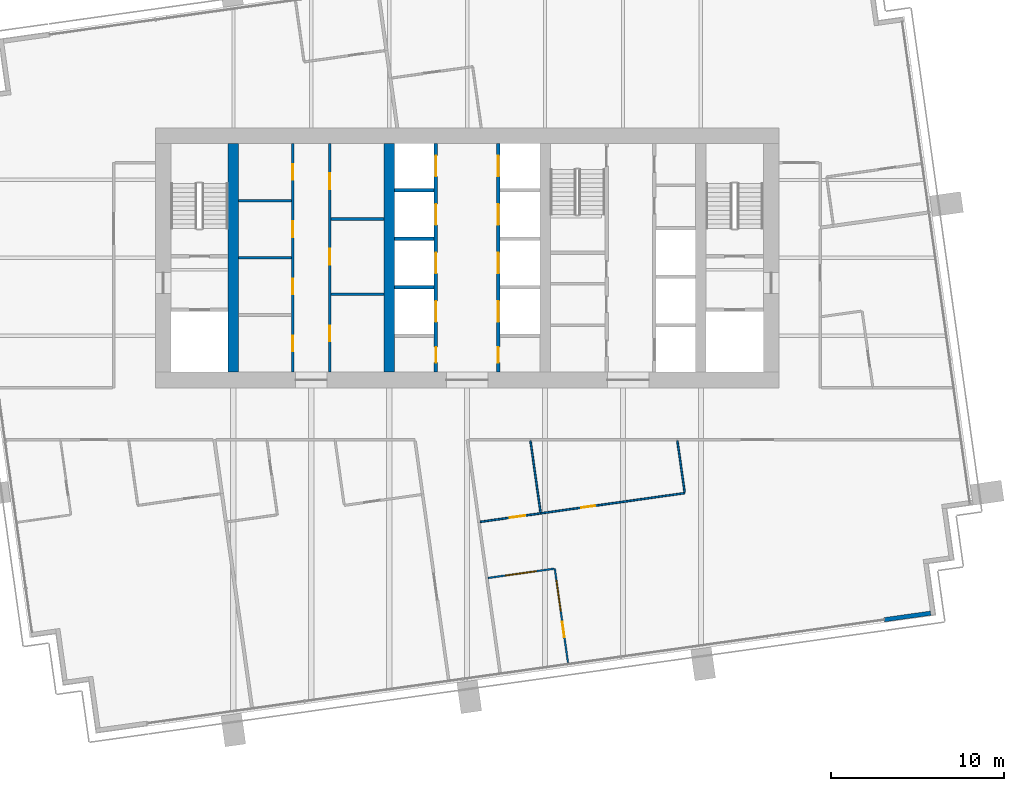
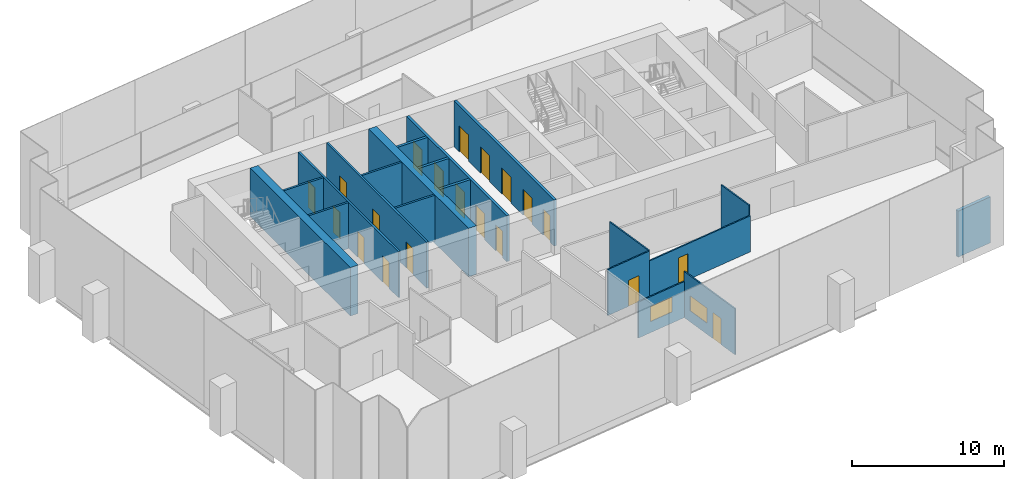
# One storey, part 10 of 17: 20 doors, 20 walls, 2 windows, 22 openings.
"""IFC4 building model written with IfcOpenShell, lengths in metres."""

from ifc_helpers import new_model, si_unit, direction, frame, frame_2d, origin, place, context, subcontext, project, spatial, rectangle, extrude, material, layer, layer_set, type_object, element, fill, save


model = new_model("IFC4")

# Units and contexts
model_context = context("Model", 3, precision=1e-05, world=origin(), true_north=direction((0.0, 1.0)))
body_context = subcontext(model_context, "Body", "Model", "MODEL_VIEW")
ifc_project = project(units=[si_unit("LENGTHUNIT", "METRE"), si_unit("AREAUNIT", "SQUARE_METRE"), si_unit("VOLUMEUNIT", "CUBIC_METRE"), si_unit("PLANEANGLEUNIT", "RADIAN"), si_unit("MASSUNIT", "GRAM", prefix="KILO")], contexts=[model_context])

# Site, building, storey
site_placement = place(None, origin())
site = spatial("IfcSite", under=ifc_project, at=site_placement, CompositionType="ELEMENT")
building_placement = place(site_placement, origin())
building = spatial("IfcBuilding", under=site, at=building_placement, Name="Rattan Terrace Tower", CompositionType="ELEMENT")
storey_placement = place(building_placement, frame((0.0, 0.0, 168.5)))
storey = spatial("IfcBuildingStorey", under=building, at=storey_placement, Name="L38", CompositionType="ELEMENT", Elevation=168.5)

# Wall, openings, doors
ifc_material_1 = material(Name="Gypsum board partition")
ifc_layer_1 = layer(ifc_material_1, 0.14990234375)
ifc_layer_set_1 = layer_set([ifc_layer_1], Name="Core partition 150")
wall_type_1 = type_object("IfcWallType", Name="Core partition 150", PredefinedType="PARTITIONING", material=ifc_layer_set_1)
wall_1_placement = place(storey_placement, frame((-10.074951171875, -6.60009765625, 0.0), z_axis=(0.0, 0.0, 1.0), x_axis=(0.0, 1.0, 0.0)))
wall_1 = element("IfcWall", 1, at=wall_1_placement, inside=storey, type_object=wall_type_1, Name="Core room wall", PredefinedType="PARTITIONING", context=body_context, shape_type="SweptSolid", body=[
    extrude(rectangle(XDim=13.2001953125, YDim=0.14990234375, at=frame_2d((6.60009765625, 0.0))), origin(), (0.0, 0.0, 1.0), 3.699951171875),
])
opening_1_placement = place(wall_1_placement, frame((1.199951171875, 0.0, 0.0)))
opening_1 = element("IfcOpeningElement", 2, at=opening_1_placement, cuts=wall_1, Name="Opening L38-D005", PredefinedType="OPENING", context=body_context, shape_type="SweptSolid", body=[
    extrude(rectangle(XDim=0.89990234375, YDim=2.10009765625, at=frame_2d((0.449951171875, 1.050048828125))), frame((0.0, 0.08544921875, 0.0), z_axis=(0.0, -1.0, 0.0), x_axis=(1.0, 0.0, 0.0)), (0.0, 0.0, 1.0), 0.1708984375),
])
opening_2_placement = place(wall_1_placement, frame((4.5, 0.0, 0.0)))
opening_2 = element("IfcOpeningElement", 3, at=opening_2_placement, cuts=wall_1, Name="Opening L38-D006", PredefinedType="OPENING", context=body_context, shape_type="SweptSolid", body=[
    extrude(rectangle(XDim=0.89990234375, YDim=2.10009765625, at=frame_2d((0.449951171875, 1.050048828125))), frame((0.0, 0.08544921875, 0.0), z_axis=(0.0, -1.0, 0.0), x_axis=(1.0, 0.0, 0.0)), (0.0, 0.0, 1.0), 0.1708984375),
])
opening_3_placement = place(wall_1_placement, frame((7.800048828125, 0.0, 0.0)))
opening_3 = element("IfcOpeningElement", 4, at=opening_3_placement, cuts=wall_1, Name="Opening L38-D007", PredefinedType="OPENING", context=body_context, shape_type="SweptSolid", body=[
    extrude(rectangle(XDim=0.89990234375, YDim=2.10009765625, at=frame_2d((0.449951171875, 1.050048828125))), frame((0.0, 0.08544921875, 0.0), z_axis=(0.0, -1.0, 0.0), x_axis=(1.0, 0.0, 0.0)), (0.0, 0.0, 1.0), 0.1708984375),
])
opening_4_placement = place(wall_1_placement, frame((11.10009765625, 0.0, 0.0)))
opening_4 = element("IfcOpeningElement", 5, at=opening_4_placement, cuts=wall_1, Name="Opening L38-D008", PredefinedType="OPENING", context=body_context, shape_type="SweptSolid", body=[
    extrude(rectangle(XDim=0.89990234375, YDim=2.10009765625, at=frame_2d((0.449951171875, 1.050048828125))), frame((0.0, 0.08544921875, 0.0), z_axis=(0.0, -1.0, 0.0), x_axis=(1.0, 0.0, 0.0)), (0.0, 0.0, 1.0), 0.1708984375),
])
ifc_material_2 = material(Name="Hollow-metal fire door leaf")
door_type_1 = type_object("IfcDoorType", Name="Core service room door 900", OperationType="NOTDEFINED", PredefinedType="DOOR", material=ifc_material_2)
door_1_placement = place(opening_1_placement, origin())
door_1 = element("IfcDoor", 6, at=door_1_placement, inside=storey, type_object=door_type_1, Name="Door L38-D005", OperationType="SINGLE_SWING_LEFT", OverallHeight=2.10009765625, OverallWidth=0.89990234375, PredefinedType="DOOR", context=body_context, shape_type="SweptSolid", body=[
    extrude(rectangle(XDim=0.89990234375, YDim=2.10009765625, at=frame_2d((0.449951171875, 1.050048828125))), frame((0.0, 0.02490234375, 0.0), z_axis=(0.0, -1.0, 0.0), x_axis=(1.0, 0.0, 0.0)), (0.0, 0.0, 1.0), 0.050048828125),
])
fill(opening_1, door_1)
door_2_placement = place(opening_2_placement, origin())
door_2 = element("IfcDoor", 7, at=door_2_placement, inside=storey, type_object=door_type_1, Name="Door L38-D006", OperationType="SINGLE_SWING_RIGHT", OverallHeight=2.10009765625, OverallWidth=0.89990234375, PredefinedType="DOOR", context=body_context, shape_type="SweptSolid", body=[
    extrude(rectangle(XDim=0.89990234375, YDim=2.10009765625, at=frame_2d((0.449951171875, 1.050048828125))), frame((0.0, 0.02490234375, 0.0), z_axis=(0.0, -1.0, 0.0), x_axis=(1.0, 0.0, 0.0)), (0.0, 0.0, 1.0), 0.050048828125),
])
fill(opening_2, door_2)
door_3_placement = place(opening_3_placement, origin())
door_3 = element("IfcDoor", 8, at=door_3_placement, inside=storey, type_object=door_type_1, Name="Door L38-D007", OperationType="SINGLE_SWING_LEFT", OverallHeight=2.10009765625, OverallWidth=0.89990234375, PredefinedType="DOOR", context=body_context, shape_type="SweptSolid", body=[
    extrude(rectangle(XDim=0.89990234375, YDim=2.10009765625, at=frame_2d((0.449951171875, 1.050048828125))), frame((0.0, 0.02490234375, 0.0), z_axis=(0.0, -1.0, 0.0), x_axis=(1.0, 0.0, 0.0)), (0.0, 0.0, 1.0), 0.050048828125),
])
fill(opening_3, door_3)
door_4_placement = place(opening_4_placement, origin())
door_4 = element("IfcDoor", 9, at=door_4_placement, inside=storey, type_object=door_type_1, Name="Door L38-D008", OperationType="SINGLE_SWING_RIGHT", OverallHeight=2.10009765625, OverallWidth=0.89990234375, PredefinedType="DOOR", context=body_context, shape_type="SweptSolid", body=[
    extrude(rectangle(XDim=0.89990234375, YDim=2.10009765625, at=frame_2d((0.449951171875, 1.050048828125))), frame((0.0, 0.02490234375, 0.0), z_axis=(0.0, -1.0, 0.0), x_axis=(1.0, 0.0, 0.0)), (0.0, 0.0, 1.0), 0.050048828125),
])
fill(opening_4, door_4)

# Walls
for number, where, z_axis, x_axis, name in (
    (10, (-13.199951171875, 0.0, 0.0), (0.0, 0.0, 1.0), (1.0, 0.0, 0.0), "Core room wall"),
    (11, (-13.199951171875, 3.300048828125, 0.0), (0.0, 0.0, 1.0), (1.0, 0.0, 0.0), "Core room wall"),
):
    element("IfcWall", number, at=place(storey_placement, frame(where, z_axis=z_axis, x_axis=x_axis)), inside=storey, type_object=wall_type_1, Name=name, PredefinedType="PARTITIONING", context=body_context, shape_type="SweptSolid", body=[
        extrude(rectangle(XDim=3.050048828125, YDim=0.14990234375, at=frame_2d((1.52490234375, 0.0))), origin(), (0.0, 0.0, 1.0), 3.699951171875),
    ])

# Wall, openings, doors
wall_2_placement = place(storey_placement, frame((-7.925048828125, -6.60009765625, 0.0), z_axis=(0.0, 0.0, 1.0), x_axis=(0.0, 1.0, 0.0)))
wall_2 = element("IfcWall", 12, at=wall_2_placement, inside=storey, type_object=wall_type_1, Name="Core room wall", PredefinedType="PARTITIONING", context=body_context, shape_type="SweptSolid", body=[
    extrude(rectangle(XDim=13.2001953125, YDim=0.14990234375, at=frame_2d((6.60009765625, 0.0))), origin(), (0.0, 0.0, 1.0), 3.699951171875),
])
opening_5_placement = place(wall_2_placement, frame((1.7939453125, 0.0, 0.0)))
opening_5 = element("IfcOpeningElement", 13, at=opening_5_placement, cuts=wall_2, Name="Opening L38-D009", PredefinedType="OPENING", context=body_context, shape_type="SweptSolid", body=[
    extrude(rectangle(XDim=0.89990234375, YDim=2.10009765625, at=frame_2d((0.449951171875, 1.050048828125))), frame((0.0, 0.08544921875, 0.0), z_axis=(0.0, -1.0, 0.0), x_axis=(1.0, 0.0, 0.0)), (0.0, 0.0, 1.0), 0.1708984375),
])
opening_6_placement = place(wall_2_placement, frame((6.216064453125, 0.0, 0.0)))
opening_6 = element("IfcOpeningElement", 14, at=opening_6_placement, cuts=wall_2, Name="Opening L38-D010", PredefinedType="OPENING", context=body_context, shape_type="SweptSolid", body=[
    extrude(rectangle(XDim=0.89990234375, YDim=2.10009765625, at=frame_2d((0.449951171875, 1.050048828125))), frame((0.0, 0.08544921875, 0.0), z_axis=(0.0, -1.0, 0.0), x_axis=(1.0, 0.0, 0.0)), (0.0, 0.0, 1.0), 0.1708984375),
])
opening_7_placement = place(wall_2_placement, frame((10.572021484375, 0.0, 0.0)))
opening_7 = element("IfcOpeningElement", 15, at=opening_7_placement, cuts=wall_2, Name="Opening L38-D011", PredefinedType="OPENING", context=body_context, shape_type="SweptSolid", body=[
    extrude(rectangle(XDim=0.89990234375, YDim=2.10009765625, at=frame_2d((0.449951171875, 1.050048828125))), frame((0.0, 0.08544921875, 0.0), z_axis=(0.0, -1.0, 0.0), x_axis=(1.0, 0.0, 0.0)), (0.0, 0.0, 1.0), 0.1708984375),
])
door_5_placement = place(opening_5_placement, origin())
door_5 = element("IfcDoor", 16, at=door_5_placement, inside=storey, type_object=door_type_1, Name="Door L38-D009", OperationType="SINGLE_SWING_LEFT", OverallHeight=2.10009765625, OverallWidth=0.89990234375, PredefinedType="DOOR", context=body_context, shape_type="SweptSolid", body=[
    extrude(rectangle(XDim=0.89990234375, YDim=2.10009765625, at=frame_2d((0.449951171875, 1.050048828125))), frame((0.0, 0.02490234375, 0.0), z_axis=(0.0, -1.0, 0.0), x_axis=(1.0, 0.0, 0.0)), (0.0, 0.0, 1.0), 0.050048828125),
])
fill(opening_5, door_5)
door_6_placement = place(opening_6_placement, origin())
door_6 = element("IfcDoor", 17, at=door_6_placement, inside=storey, type_object=door_type_1, Name="Door L38-D010", OperationType="SINGLE_SWING_RIGHT", OverallHeight=2.10009765625, OverallWidth=0.89990234375, PredefinedType="DOOR", context=body_context, shape_type="SweptSolid", body=[
    extrude(rectangle(XDim=0.89990234375, YDim=2.10009765625, at=frame_2d((0.449951171875, 1.050048828125))), frame((0.0, 0.02490234375, 0.0), z_axis=(0.0, -1.0, 0.0), x_axis=(1.0, 0.0, 0.0)), (0.0, 0.0, 1.0), 0.050048828125),
])
fill(opening_6, door_6)
door_7_placement = place(opening_7_placement, origin())
door_7 = element("IfcDoor", 18, at=door_7_placement, inside=storey, type_object=door_type_1, Name="Door L38-D011", OperationType="SINGLE_SWING_LEFT", OverallHeight=2.10009765625, OverallWidth=0.89990234375, PredefinedType="DOOR", context=body_context, shape_type="SweptSolid", body=[
    extrude(rectangle(XDim=0.89990234375, YDim=2.10009765625, at=frame_2d((0.449951171875, 1.050048828125))), frame((0.0, 0.02490234375, 0.0), z_axis=(0.0, -1.0, 0.0), x_axis=(1.0, 0.0, 0.0)), (0.0, 0.0, 1.0), 0.050048828125),
])
fill(opening_7, door_7)

# Walls
for number, where, z_axis, x_axis, name in (
    (19, (-7.85009765625, -2.112060546875, 0.0), (0.0, 0.0, 1.0), (1.0, 0.0, 0.0), "Core room wall"),
    (20, (-7.85009765625, 2.243896484375, 0.0), (0.0, 0.0, 1.0), (1.0, 0.0, 0.0), "Core room wall"),
):
    element("IfcWall", number, at=place(storey_placement, frame(where, z_axis=z_axis, x_axis=x_axis)), inside=storey, type_object=wall_type_1, Name=name, PredefinedType="PARTITIONING", context=body_context, shape_type="SweptSolid", body=[
        extrude(rectangle(XDim=3.050048828125, YDim=0.14990234375, at=frame_2d((1.52490234375, 0.0))), origin(), (0.0, 0.0, 1.0), 3.699951171875),
    ])
ifc_material_3 = material(Name="Concrete C60/75", Category="concrete")
ifc_layer_2 = layer(ifc_material_3, 0.60009765625)
ifc_layer_set_2 = layer_set([ifc_layer_2], Name="Core spine wall 600 C60/75")
wall_type_2 = type_object("IfcWallType", Name="Core spine wall 600 C60/75", PredefinedType="SHEAR", material=ifc_layer_set_2)
for number, where, z_axis, x_axis, name in (
    (21, (-13.5, -6.60009765625, -0.199951171875), (0.0, 0.0, 1.0), (0.0, 1.0, 0.0), "Core spine wall 1"),
    (22, (-4.5, -6.60009765625, -0.199951171875), (0.0, 0.0, 1.0), (0.0, 1.0, 0.0), "Core spine wall 2"),
):
    element("IfcWall", number, at=place(storey_placement, frame(where, z_axis=z_axis, x_axis=x_axis)), inside=storey, type_object=wall_type_2, Name=name, PredefinedType="SHEAR", context=body_context, shape_type="SweptSolid", body=[
        extrude(rectangle(XDim=13.2001953125, YDim=0.60009765625, at=frame_2d((6.60009765625, 0.0))), origin(), (0.0, 0.0, 1.0), 3.89990234375),
    ])
ifc_material_4 = material(Name="Insulated aluminium-clad stud wall", Category="aluminium")
ifc_layer_3 = layer(ifc_material_4, 0.25)
ifc_layer_set_3 = layer_set([ifc_layer_3], Name="Facade Riser Wall 250")
wall_type_3 = type_object("IfcWallType", Name="Facade Riser Wall 250", PredefinedType="SOLIDWALL", material=ifc_layer_set_3)
wall_3_placement = place(storey_placement, frame((24.08544921875, -20.892578125, 0.0), z_axis=(0.0, 0.0, 1.0), x_axis=(0.990255800966, 0.139260362823, 0.0)))
element("IfcWall", 23, at=wall_3_placement, inside=storey, type_object=wall_type_3, Name="Riser wall L38-1", PredefinedType="SOLIDWALL", context=body_context, shape_type="SweptSolid", body=[
    extrude(rectangle(XDim=2.705078125, YDim=0.25, at=frame_2d((1.3525390625, 0.0))), origin(), (0.0, 0.0, 1.0), 3.699951171875),
])

# Wall, opening, window
ifc_material_5 = material(Name="Gypsum board partition on steel studs", Category="steel")
ifc_layer_4 = layer(ifc_material_5, 0.10009765625)
ifc_layer_set_4 = layer_set([ifc_layer_4], Name="Floors Partition 100")
wall_type_4 = type_object("IfcWallType", Name="Floors Partition 100", PredefinedType="PARTITIONING", material=ifc_layer_set_4)
wall_4_placement = place(storey_placement, frame((5.010986328125, -17.948974609375, 0.0), z_axis=(0.0, 0.0, 1.0), x_axis=(-0.99029781958, -0.138961248322, 0.0)))
wall_4 = element("IfcWall", 24, at=wall_4_placement, inside=storey, type_object=wall_type_4, Name="pt-L38-035", PredefinedType="PARTITIONING", context=body_context, shape_type="SweptSolid", body=[
    extrude(rectangle(XDim=3.835205078125, YDim=0.10009765625, at=frame_2d((1.91748046875, 0.0))), origin(), (0.0, 0.0, 1.0), 2.89990234375),
])
opening_8_placement = place(wall_4_placement, frame((1.01806640625, 0.0, 0.89990234375)))
opening_8 = element("IfcOpeningElement", 25, at=opening_8_placement, cuts=wall_4, Name="Opening L38-W102", PredefinedType="OPENING", context=body_context, shape_type="SweptSolid", body=[
    extrude(rectangle(XDim=1.800048828125, YDim=1.199951171875, at=frame_2d((0.89990234375, 0.60009765625))), frame((0.0, 0.060546875, 0.0), z_axis=(0.0, -1.0, 0.0), x_axis=(1.0, 0.0, 0.0)), (0.0, 0.0, 1.0), 0.12109375),
])
ifc_material_6 = material(Name="Glass, clear, fixed in aluminium frame", Category="aluminium")
window_type = type_object("IfcWindowType", Name="Interior Vision Window 1800x1200", PartitioningType="SINGLE_PANEL", PredefinedType="WINDOW", material=ifc_material_6)
window_1_placement = place(opening_8_placement, origin())
window_1 = element("IfcWindow", 26, at=window_1_placement, inside=storey, type_object=window_type, Name="w-L38-102", OverallHeight=1.199951171875, OverallWidth=1.800048828125, PartitioningType="SINGLE_PANEL", PredefinedType="WINDOW", context=body_context, shape_type="SweptSolid", body=[
    extrude(rectangle(XDim=1.800048828125, YDim=1.199951171875, at=frame_2d((0.89990234375, 0.60009765625))), frame((0.0, 0.030029296875, 0.0), z_axis=(0.0, -1.0, 0.0), x_axis=(1.0, 0.0, 0.0)), (0.0, 0.0, 1.0), 0.06005859375),
])
fill(opening_8, window_1)

# Wall, openings, door, window
wall_5_placement = place(storey_placement, frame((5.822998046875, -23.367919921875, 0.0), z_axis=(0.0, 0.0, 1.0), x_axis=(-0.13906298859, 0.990283537783, 0.0)))
wall_5 = element("IfcWall", 27, at=wall_5_placement, inside=storey, type_object=wall_type_4, Name="pt-L38-036", PredefinedType="PARTITIONING", context=body_context, shape_type="SweptSolid", body=[
    extrude(rectangle(XDim=5.479248046875, YDim=0.10009765625, at=frame_2d((2.73974609375, 0.0))), origin(), (0.0, 0.0, 1.0), 3.699951171875),
])
opening_9_placement = place(wall_5_placement, frame((1.47412109375, 0.0, 0.0)))
opening_9 = element("IfcOpeningElement", 28, at=opening_9_placement, cuts=wall_5, Name="Opening L38-D107", PredefinedType="OPENING", context=body_context, shape_type="SweptSolid", body=[
    extrude(rectangle(XDim=0.89990234375, YDim=2.10009765625, at=frame_2d((0.449951171875, 1.050048828125))), frame((0.0, 0.060546875, 0.0), z_axis=(0.0, -1.0, 0.0), x_axis=(1.0, 0.0, 0.0)), (0.0, 0.0, 1.0), 0.12109375),
])
opening_10_placement = place(wall_5_placement, frame((3.001953125, 0.0, 0.89990234375)))
opening_10 = element("IfcOpeningElement", 29, at=opening_10_placement, cuts=wall_5, Name="Opening L38-W103", PredefinedType="OPENING", context=body_context, shape_type="SweptSolid", body=[
    extrude(rectangle(XDim=1.800048828125, YDim=1.199951171875, at=frame_2d((0.89990234375, 0.60009765625))), frame((0.0, 0.060546875, 0.0), z_axis=(0.0, -1.0, 0.0), x_axis=(1.0, 0.0, 0.0)), (0.0, 0.0, 1.0), 0.12109375),
])
ifc_material_7 = material(Name="Solid core timber door, painted", Category="wood")
door_type_2 = type_object("IfcDoorType", Name="Floors Door 900x2100", OperationType="NOTDEFINED", PredefinedType="DOOR", material=ifc_material_7)
door_8_placement = place(opening_9_placement, origin())
door_8 = element("IfcDoor", 30, at=door_8_placement, inside=storey, type_object=door_type_2, Name="d-L38-107", OperationType="SINGLE_SWING_LEFT", OverallHeight=2.10009765625, OverallWidth=0.89990234375, PredefinedType="DOOR", context=body_context, shape_type="SweptSolid", body=[
    extrude(rectangle(XDim=0.89990234375, YDim=2.10009765625, at=frame_2d((0.449951171875, 1.050048828125))), frame((0.0, 0.02490234375, 0.0), z_axis=(0.0, -1.0, 0.0), x_axis=(1.0, 0.0, 0.0)), (0.0, 0.0, 1.0), 0.050048828125),
])
fill(opening_9, door_8)
window_2_placement = place(opening_10_placement, origin())
window_2 = element("IfcWindow", 31, at=window_2_placement, inside=storey, type_object=window_type, Name="w-L38-103", OverallHeight=1.199951171875, OverallWidth=1.800048828125, PartitioningType="SINGLE_PANEL", PredefinedType="WINDOW", context=body_context, shape_type="SweptSolid", body=[
    extrude(rectangle(XDim=1.800048828125, YDim=1.199951171875, at=frame_2d((0.89990234375, 0.60009765625))), frame((0.0, 0.030029296875, 0.0), z_axis=(0.0, -1.0, 0.0), x_axis=(1.0, 0.0, 0.0)), (0.0, 0.0, 1.0), 0.06005859375),
])
fill(opening_10, window_2)

# Wall, opening, door
wall_6_placement = place(storey_placement, frame((0.758056640625, -15.241943359375, 0.0), z_axis=(0.0, 0.0, 1.0), x_axis=(0.990292126352, 0.139001814682, 0.0)))
wall_6 = element("IfcWall", 32, at=wall_6_placement, inside=storey, type_object=wall_type_4, Name="pt-L38-037", PredefinedType="PARTITIONING", context=body_context, shape_type="SweptSolid", body=[
    extrude(rectangle(XDim=3.50390625, YDim=0.10009765625, at=frame_2d((1.751953125, 0.0))), origin(), (0.0, 0.0, 1.0), 3.699951171875),
])
opening_11_placement = place(wall_6_placement, frame((1.722900390625, 0.0, 0.0)))
opening_11 = element("IfcOpeningElement", 33, at=opening_11_placement, cuts=wall_6, Name="Opening L38-D108", PredefinedType="OPENING", context=body_context, shape_type="SweptSolid", body=[
    extrude(rectangle(XDim=0.89990234375, YDim=2.10009765625, at=frame_2d((0.449951171875, 1.050048828125))), frame((0.0, 0.060546875, 0.0), z_axis=(0.0, -1.0, 0.0), x_axis=(1.0, 0.0, 0.0)), (0.0, 0.0, 1.0), 0.12109375),
])
door_9_placement = place(opening_11_placement, origin())
door_9 = element("IfcDoor", 34, at=door_9_placement, inside=storey, type_object=door_type_2, Name="d-L38-108", OperationType="SINGLE_SWING_RIGHT", OverallHeight=2.10009765625, OverallWidth=0.89990234375, PredefinedType="DOOR", context=body_context, shape_type="SweptSolid", body=[
    extrude(rectangle(XDim=0.89990234375, YDim=2.10009765625, at=frame_2d((0.449951171875, 1.050048828125))), frame((0.0, 0.02490234375, 0.0), z_axis=(0.0, -1.0, 0.0), x_axis=(1.0, 0.0, 0.0)), (0.0, 0.0, 1.0), 0.050048828125),
])
fill(opening_11, door_9)

wall_7_placement = place(storey_placement, frame((4.22802734375, -14.7548828125, 0.0), z_axis=(0.0, 0.0, 1.0), x_axis=(0.990267072018, 0.139180192835, 0.0)))
wall_7 = element("IfcWall", 35, at=wall_7_placement, inside=storey, type_object=wall_type_4, Name="pt-L38-038", PredefinedType="PARTITIONING", context=body_context, shape_type="SweptSolid", body=[
    extrude(rectangle(XDim=8.419921875, YDim=0.10009765625, at=frame_2d((4.2099609375, 0.0))), origin(), (0.0, 0.0, 1.0), 2.89990234375),
])
opening_12_placement = place(wall_7_placement, frame((2.385986328125, 0.0, 0.0)))
opening_12 = element("IfcOpeningElement", 36, at=opening_12_placement, cuts=wall_7, Name="Opening L38-D109", PredefinedType="OPENING", context=body_context, shape_type="SweptSolid", body=[
    extrude(rectangle(XDim=0.800048828125, YDim=2.10009765625, at=frame_2d((0.39990234375, 1.050048828125))), frame((0.0, 0.060546875, 0.0), z_axis=(0.0, -1.0, 0.0), x_axis=(1.0, 0.0, 0.0)), (0.0, 0.0, 1.0), 0.12109375),
])
ifc_material_8 = material(Name="Solid core timber door, painted", Category="wood")
door_type_3 = type_object("IfcDoorType", Name="Floors Store Door 800x2100", OperationType="NOTDEFINED", PredefinedType="DOOR", material=ifc_material_8)
door_10_placement = place(opening_12_placement, origin())
door_10 = element("IfcDoor", 37, at=door_10_placement, inside=storey, type_object=door_type_3, Name="d-L38-109", OperationType="SINGLE_SWING_LEFT", OverallHeight=2.10009765625, OverallWidth=0.800048828125, PredefinedType="DOOR", context=body_context, shape_type="SweptSolid", body=[
    extrude(rectangle(XDim=0.800048828125, YDim=2.10009765625, at=frame_2d((0.39990234375, 1.050048828125))), frame((0.0, 0.02490234375, 0.0), z_axis=(0.0, -1.0, 0.0), x_axis=(1.0, 0.0, 0.0)), (0.0, 0.0, 1.0), 0.050048828125),
])
fill(opening_12, door_10)

# Walls
wall_8_placement = place(storey_placement, frame((12.55908203125, -13.532958984375, 0.0), z_axis=(0.0, 0.0, 1.0), x_axis=(-0.138954956276, 0.990298702476, 0.0)))
element("IfcWall", 38, at=wall_8_placement, inside=storey, type_object=wall_type_4, Name="pt-L38-039", PredefinedType="PARTITIONING", context=body_context, shape_type="SweptSolid", body=[
    extrude(rectangle(XDim=2.993896484375, YDim=0.10009765625, at=frame_2d((1.4970703125, 0.0))), origin(), (0.0, 0.0, 1.0), 3.699951171875),
])
wall_9_placement = place(storey_placement, frame((3.658935546875, -10.568115234375, 0.0), z_axis=(0.0, 0.0, 1.0), x_axis=(0.139423291569, -0.990232874514, 0.0)))
element("IfcWall", 39, at=wall_9_placement, inside=storey, type_object=wall_type_4, Name="pt-L38-040", PredefinedType="PARTITIONING", context=body_context, shape_type="SweptSolid", body=[
    extrude(rectangle(XDim=4.174560546875, YDim=0.10009765625, at=frame_2d((2.08740234375, 0.0))), origin(), (0.0, 0.0, 1.0), 3.699951171875),
])

# Wall, openings, doors
ifc_material_9 = material(Name="Gypsum shaft wall system")
ifc_layer_5 = layer(ifc_material_9, 0.199951171875)
ifc_layer_set_5 = layer_set([ifc_layer_5], Name="Lift shaft wall 200")
wall_type_5 = type_object("IfcWallType", Name="Lift shaft wall 200", PredefinedType="PARTITIONING", material=ifc_layer_set_5)
wall_10_placement = place(storey_placement, frame((-1.800048828125, -6.60009765625, 0.0), z_axis=(0.0, 0.0, 1.0), x_axis=(0.0, 1.0, 0.0)))
wall_10 = element("IfcWall", 40, at=wall_10_placement, inside=storey, type_object=wall_type_5, Name="Lift shaft front wall", PredefinedType="PARTITIONING", context=body_context, shape_type="SweptSolid", body=[
    extrude(rectangle(XDim=13.2001953125, YDim=0.199951171875, at=frame_2d((6.60009765625, 0.0))), origin(), (0.0, 0.0, 1.0), 3.699951171875),
])
opening_13_placement = place(wall_10_placement, frame((0.550048828125, 0.0, 0.0)))
opening_13 = element("IfcOpeningElement", 41, at=opening_13_placement, cuts=wall_10, Name="Opening L38-D013", PredefinedType="OPENING", context=body_context, shape_type="SweptSolid", body=[
    extrude(rectangle(XDim=0.89990234375, YDim=2.10009765625, at=frame_2d((0.449951171875, 1.050048828125))), frame((0.0, 0.110595703125, 0.0), z_axis=(0.0, -1.0, 0.0), x_axis=(1.0, 0.0, 0.0)), (0.0, 0.0, 1.0), 0.220947265625),
])
opening_14_placement = place(wall_10_placement, frame((2.89990234375, 0.0, 0.0)))
opening_14 = element("IfcOpeningElement", 42, at=opening_14_placement, cuts=wall_10, Name="Opening L38-LD-HR1", PredefinedType="OPENING", context=body_context, shape_type="SweptSolid", body=[
    extrude(rectangle(XDim=1.199951171875, YDim=2.10009765625, at=frame_2d((0.60009765625, 1.050048828125))), frame((0.0, 0.110595703125, 0.0), z_axis=(0.0, -1.0, 0.0), x_axis=(1.0, 0.0, 0.0)), (0.0, 0.0, 1.0), 0.220947265625),
])
opening_15_placement = place(wall_10_placement, frame((5.699951171875, 0.0, 0.0)))
opening_15 = element("IfcOpeningElement", 43, at=opening_15_placement, cuts=wall_10, Name="Opening L38-LD-HR2", PredefinedType="OPENING", context=body_context, shape_type="SweptSolid", body=[
    extrude(rectangle(XDim=1.199951171875, YDim=2.10009765625, at=frame_2d((0.60009765625, 1.050048828125))), frame((0.0, 0.110595703125, 0.0), z_axis=(0.0, -1.0, 0.0), x_axis=(1.0, 0.0, 0.0)), (0.0, 0.0, 1.0), 0.220947265625),
])
opening_16_placement = place(wall_10_placement, frame((8.5, 0.0, 0.0)))
opening_16 = element("IfcOpeningElement", 44, at=opening_16_placement, cuts=wall_10, Name="Opening L38-LD-HR3", PredefinedType="OPENING", context=body_context, shape_type="SweptSolid", body=[
    extrude(rectangle(XDim=1.199951171875, YDim=2.10009765625, at=frame_2d((0.60009765625, 1.050048828125))), frame((0.0, 0.110595703125, 0.0), z_axis=(0.0, -1.0, 0.0), x_axis=(1.0, 0.0, 0.0)), (0.0, 0.0, 1.0), 0.220947265625),
])
opening_17_placement = place(wall_10_placement, frame((11.300048828125, 0.0, 0.0)))
opening_17 = element("IfcOpeningElement", 45, at=opening_17_placement, cuts=wall_10, Name="Opening L38-LD-HR4", PredefinedType="OPENING", context=body_context, shape_type="SweptSolid", body=[
    extrude(rectangle(XDim=1.199951171875, YDim=2.10009765625, at=frame_2d((0.60009765625, 1.050048828125))), frame((0.0, 0.110595703125, 0.0), z_axis=(0.0, -1.0, 0.0), x_axis=(1.0, 0.0, 0.0)), (0.0, 0.0, 1.0), 0.220947265625),
])
ifc_material_10 = material(Name="Brushed stainless landing door panel")
door_type_4 = type_object("IfcDoorType", Name="Core lift landing door 1200", OperationType="DOUBLE_DOOR_SLIDING", PredefinedType="DOOR", material=ifc_material_10)
door_11_placement = place(opening_14_placement, origin())
door_11 = element("IfcDoor", 46, at=door_11_placement, inside=storey, type_object=door_type_4, Name="Door L38-LD-HR1", OperationType="DOUBLE_DOOR_SLIDING", OverallHeight=2.10009765625, OverallWidth=1.199951171875, PredefinedType="DOOR", context=body_context, shape_type="SweptSolid", body=[
    extrude(rectangle(XDim=1.199951171875, YDim=2.10009765625, at=frame_2d((0.60009765625, 1.050048828125))), frame((0.0, 0.02490234375, 0.0), z_axis=(0.0, -1.0, 0.0), x_axis=(1.0, 0.0, 0.0)), (0.0, 0.0, 1.0), 0.050048828125),
])
fill(opening_14, door_11)
door_12_placement = place(opening_15_placement, origin())
door_12 = element("IfcDoor", 47, at=door_12_placement, inside=storey, type_object=door_type_4, Name="Door L38-LD-HR2", OperationType="DOUBLE_DOOR_SLIDING", OverallHeight=2.10009765625, OverallWidth=1.199951171875, PredefinedType="DOOR", context=body_context, shape_type="SweptSolid", body=[
    extrude(rectangle(XDim=1.199951171875, YDim=2.10009765625, at=frame_2d((0.60009765625, 1.050048828125))), frame((0.0, 0.02490234375, 0.0), z_axis=(0.0, -1.0, 0.0), x_axis=(1.0, 0.0, 0.0)), (0.0, 0.0, 1.0), 0.050048828125),
])
fill(opening_15, door_12)
door_13_placement = place(opening_16_placement, origin())
door_13 = element("IfcDoor", 48, at=door_13_placement, inside=storey, type_object=door_type_4, Name="Door L38-LD-HR3", OperationType="DOUBLE_DOOR_SLIDING", OverallHeight=2.10009765625, OverallWidth=1.199951171875, PredefinedType="DOOR", context=body_context, shape_type="SweptSolid", body=[
    extrude(rectangle(XDim=1.199951171875, YDim=2.10009765625, at=frame_2d((0.60009765625, 1.050048828125))), frame((0.0, 0.02490234375, 0.0), z_axis=(0.0, -1.0, 0.0), x_axis=(1.0, 0.0, 0.0)), (0.0, 0.0, 1.0), 0.050048828125),
])
fill(opening_16, door_13)
door_14_placement = place(opening_17_placement, origin())
door_14 = element("IfcDoor", 49, at=door_14_placement, inside=storey, type_object=door_type_4, Name="Door L38-LD-HR4", OperationType="DOUBLE_DOOR_SLIDING", OverallHeight=2.10009765625, OverallWidth=1.199951171875, PredefinedType="DOOR", context=body_context, shape_type="SweptSolid", body=[
    extrude(rectangle(XDim=1.199951171875, YDim=2.10009765625, at=frame_2d((0.60009765625, 1.050048828125))), frame((0.0, 0.02490234375, 0.0), z_axis=(0.0, -1.0, 0.0), x_axis=(1.0, 0.0, 0.0)), (0.0, 0.0, 1.0), 0.050048828125),
])
fill(opening_17, door_14)
ifc_material_11 = material(Name="Hollow-metal fire door leaf")
door_type_5 = type_object("IfcDoorType", Name="Core riser door 900", OperationType="NOTDEFINED", PredefinedType="DOOR", material=ifc_material_11)
door_15_placement = place(opening_13_placement, origin())
door_15 = element("IfcDoor", 50, at=door_15_placement, inside=storey, type_object=door_type_5, Name="Door L38-D013", OperationType="SINGLE_SWING_LEFT", OverallHeight=2.10009765625, OverallWidth=0.89990234375, PredefinedType="DOOR", context=body_context, shape_type="SweptSolid", body=[
    extrude(rectangle(XDim=0.89990234375, YDim=2.10009765625, at=frame_2d((0.449951171875, 1.050048828125))), frame((0.0, 0.02490234375, 0.0), z_axis=(0.0, -1.0, 0.0), x_axis=(1.0, 0.0, 0.0)), (0.0, 0.0, 1.0), 0.050048828125),
])
fill(opening_13, door_15)

wall_11_placement = place(storey_placement, frame((1.800048828125, -6.60009765625, 0.0), z_axis=(0.0, 0.0, 1.0), x_axis=(0.0, 1.0, 0.0)))
wall_11 = element("IfcWall", 51, at=wall_11_placement, inside=storey, type_object=wall_type_5, Name="Lift shaft front wall", PredefinedType="PARTITIONING", context=body_context, shape_type="SweptSolid", body=[
    extrude(rectangle(XDim=13.2001953125, YDim=0.199951171875, at=frame_2d((6.60009765625, 0.0))), origin(), (0.0, 0.0, 1.0), 3.699951171875),
])
opening_18_placement = place(wall_11_placement, frame((0.550048828125, 0.0, 0.0)))
opening_18 = element("IfcOpeningElement", 52, at=opening_18_placement, cuts=wall_11, Name="Opening L38-D014", PredefinedType="OPENING", context=body_context, shape_type="SweptSolid", body=[
    extrude(rectangle(XDim=0.89990234375, YDim=2.10009765625, at=frame_2d((0.449951171875, 1.050048828125))), frame((0.0, 0.110595703125, 0.0), z_axis=(0.0, -1.0, 0.0), x_axis=(1.0, 0.0, 0.0)), (0.0, 0.0, 1.0), 0.220947265625),
])
opening_19_placement = place(wall_11_placement, frame((2.89990234375, 0.0, 0.0)))
opening_19 = element("IfcOpeningElement", 53, at=opening_19_placement, cuts=wall_11, Name="Opening L38-LD-HR5", PredefinedType="OPENING", context=body_context, shape_type="SweptSolid", body=[
    extrude(rectangle(XDim=1.199951171875, YDim=2.10009765625, at=frame_2d((0.60009765625, 1.050048828125))), frame((0.0, 0.110595703125, 0.0), z_axis=(0.0, -1.0, 0.0), x_axis=(1.0, 0.0, 0.0)), (0.0, 0.0, 1.0), 0.220947265625),
])
opening_20_placement = place(wall_11_placement, frame((5.699951171875, 0.0, 0.0)))
opening_20 = element("IfcOpeningElement", 54, at=opening_20_placement, cuts=wall_11, Name="Opening L38-LD-HR6", PredefinedType="OPENING", context=body_context, shape_type="SweptSolid", body=[
    extrude(rectangle(XDim=1.199951171875, YDim=2.10009765625, at=frame_2d((0.60009765625, 1.050048828125))), frame((0.0, 0.110595703125, 0.0), z_axis=(0.0, -1.0, 0.0), x_axis=(1.0, 0.0, 0.0)), (0.0, 0.0, 1.0), 0.220947265625),
])
opening_21_placement = place(wall_11_placement, frame((8.5, 0.0, 0.0)))
opening_21 = element("IfcOpeningElement", 55, at=opening_21_placement, cuts=wall_11, Name="Opening L38-LD-HR7", PredefinedType="OPENING", context=body_context, shape_type="SweptSolid", body=[
    extrude(rectangle(XDim=1.199951171875, YDim=2.10009765625, at=frame_2d((0.60009765625, 1.050048828125))), frame((0.0, 0.110595703125, 0.0), z_axis=(0.0, -1.0, 0.0), x_axis=(1.0, 0.0, 0.0)), (0.0, 0.0, 1.0), 0.220947265625),
])
opening_22_placement = place(wall_11_placement, frame((11.300048828125, 0.0, 0.0)))
opening_22 = element("IfcOpeningElement", 56, at=opening_22_placement, cuts=wall_11, Name="Opening L38-LD-HR8", PredefinedType="OPENING", context=body_context, shape_type="SweptSolid", body=[
    extrude(rectangle(XDim=1.199951171875, YDim=2.10009765625, at=frame_2d((0.60009765625, 1.050048828125))), frame((0.0, 0.110595703125, 0.0), z_axis=(0.0, -1.0, 0.0), x_axis=(1.0, 0.0, 0.0)), (0.0, 0.0, 1.0), 0.220947265625),
])
door_16_placement = place(opening_19_placement, origin())
door_16 = element("IfcDoor", 57, at=door_16_placement, inside=storey, type_object=door_type_4, Name="Door L38-LD-HR5", OperationType="DOUBLE_DOOR_SLIDING", OverallHeight=2.10009765625, OverallWidth=1.199951171875, PredefinedType="DOOR", context=body_context, shape_type="SweptSolid", body=[
    extrude(rectangle(XDim=1.199951171875, YDim=2.10009765625, at=frame_2d((0.60009765625, 1.050048828125))), frame((0.0, 0.02490234375, 0.0), z_axis=(0.0, -1.0, 0.0), x_axis=(1.0, 0.0, 0.0)), (0.0, 0.0, 1.0), 0.050048828125),
])
fill(opening_19, door_16)
door_17_placement = place(opening_20_placement, origin())
door_17 = element("IfcDoor", 58, at=door_17_placement, inside=storey, type_object=door_type_4, Name="Door L38-LD-HR6", OperationType="DOUBLE_DOOR_SLIDING", OverallHeight=2.10009765625, OverallWidth=1.199951171875, PredefinedType="DOOR", context=body_context, shape_type="SweptSolid", body=[
    extrude(rectangle(XDim=1.199951171875, YDim=2.10009765625, at=frame_2d((0.60009765625, 1.050048828125))), frame((0.0, 0.02490234375, 0.0), z_axis=(0.0, -1.0, 0.0), x_axis=(1.0, 0.0, 0.0)), (0.0, 0.0, 1.0), 0.050048828125),
])
fill(opening_20, door_17)
door_18_placement = place(opening_21_placement, origin())
door_18 = element("IfcDoor", 59, at=door_18_placement, inside=storey, type_object=door_type_4, Name="Door L38-LD-HR7", OperationType="DOUBLE_DOOR_SLIDING", OverallHeight=2.10009765625, OverallWidth=1.199951171875, PredefinedType="DOOR", context=body_context, shape_type="SweptSolid", body=[
    extrude(rectangle(XDim=1.199951171875, YDim=2.10009765625, at=frame_2d((0.60009765625, 1.050048828125))), frame((0.0, 0.02490234375, 0.0), z_axis=(0.0, -1.0, 0.0), x_axis=(1.0, 0.0, 0.0)), (0.0, 0.0, 1.0), 0.050048828125),
])
fill(opening_21, door_18)
door_19_placement = place(opening_22_placement, origin())
door_19 = element("IfcDoor", 60, at=door_19_placement, inside=storey, type_object=door_type_4, Name="Door L38-LD-HR8", OperationType="DOUBLE_DOOR_SLIDING", OverallHeight=2.10009765625, OverallWidth=1.199951171875, PredefinedType="DOOR", context=body_context, shape_type="SweptSolid", body=[
    extrude(rectangle(XDim=1.199951171875, YDim=2.10009765625, at=frame_2d((0.60009765625, 1.050048828125))), frame((0.0, 0.02490234375, 0.0), z_axis=(0.0, -1.0, 0.0), x_axis=(1.0, 0.0, 0.0)), (0.0, 0.0, 1.0), 0.050048828125),
])
fill(opening_22, door_19)
door_20_placement = place(opening_18_placement, origin())
door_20 = element("IfcDoor", 61, at=door_20_placement, inside=storey, type_object=door_type_5, Name="Door L38-D014", OperationType="SINGLE_SWING_RIGHT", OverallHeight=2.10009765625, OverallWidth=0.89990234375, PredefinedType="DOOR", context=body_context, shape_type="SweptSolid", body=[
    extrude(rectangle(XDim=0.89990234375, YDim=2.10009765625, at=frame_2d((0.449951171875, 1.050048828125))), frame((0.0, 0.02490234375, 0.0), z_axis=(0.0, -1.0, 0.0), x_axis=(1.0, 0.0, 0.0)), (0.0, 0.0, 1.0), 0.050048828125),
])
fill(opening_18, door_20)

# Walls
for number, where, z_axis, x_axis, name in (
    (62, (-4.199951171875, -1.699951171875, 0.0), (0.0, 0.0, 1.0), (1.0, 0.0, 0.0), "Lift shaft wall"),
    (63, (-4.199951171875, 1.10009765625, 0.0), (0.0, 0.0, 1.0), (1.0, 0.0, 0.0), "Lift shaft wall"),
    (64, (-4.199951171875, 3.89990234375, 0.0), (0.0, 0.0, 1.0), (1.0, 0.0, 0.0), "Lift shaft wall"),
):
    element("IfcWall", number, at=place(storey_placement, frame(where, z_axis=z_axis, x_axis=x_axis)), inside=storey, type_object=wall_type_5, Name=name, PredefinedType="PARTITIONING", context=body_context, shape_type="SweptSolid", body=[
        extrude(rectangle(XDim=2.300048828125, YDim=0.199951171875, at=frame_2d((1.14990234375, 0.0))), origin(), (0.0, 0.0, 1.0), 3.699951171875),
    ])

save(model, "model.ifc")
